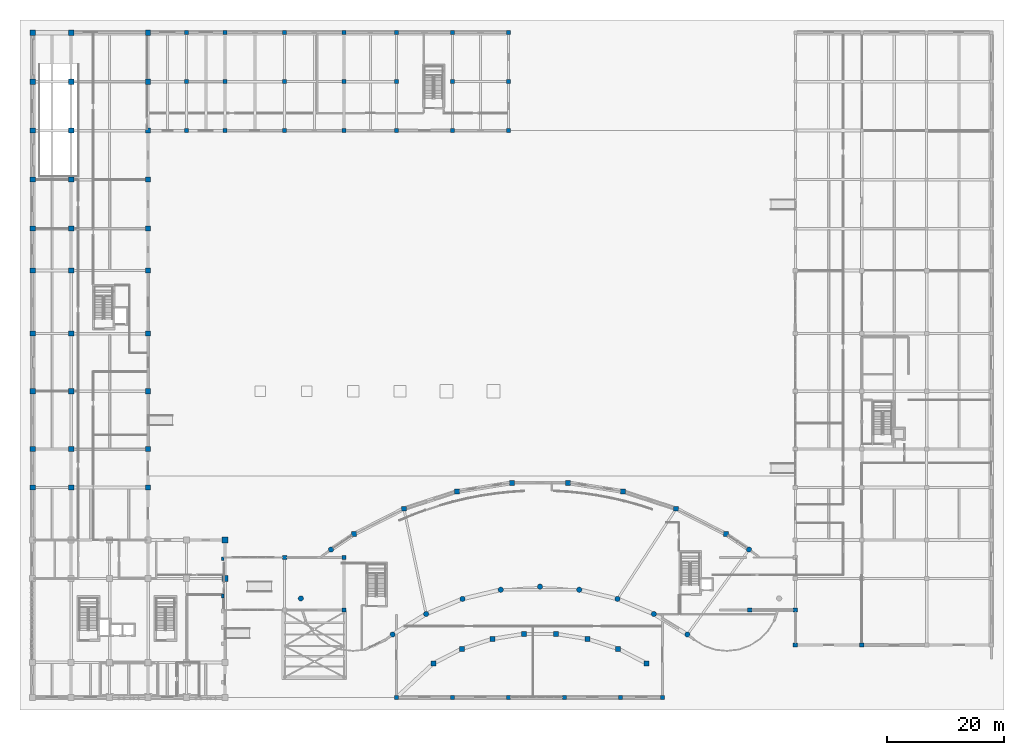
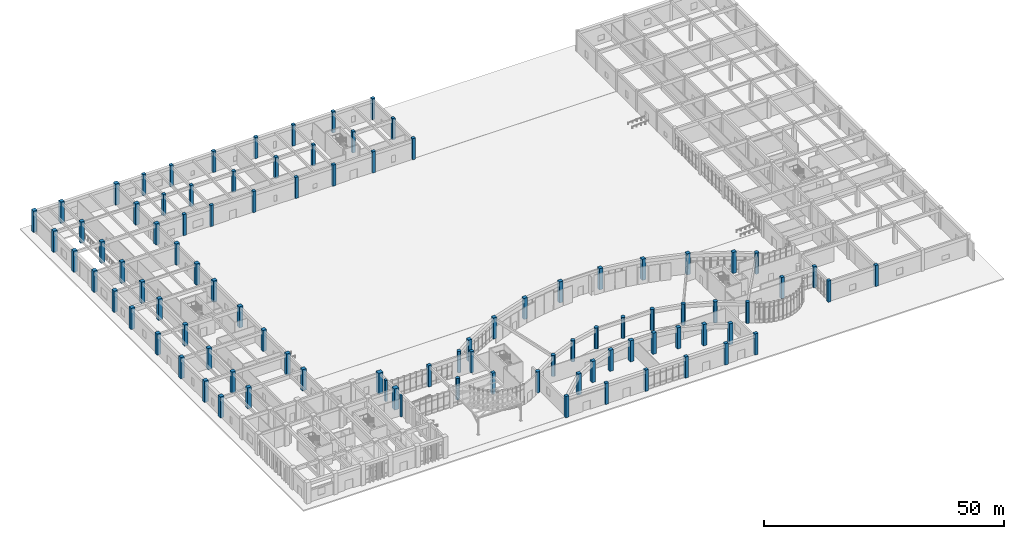
# One storey, part 3 of 70: 96 columns.
"""IFC4 building model written with IfcOpenShell, lengths in metres."""

from ifc_helpers import new_model, si_unit, direction, frame, origin, origin_2d, place, context, subcontext, project, spatial, rectangle, circle, extrude, material, material_profile, profile_set, type_object, element, save


model = new_model("IFC4")

# Units and contexts
model_context = context("Model", 3, precision=1e-05, world=origin(), true_north=direction((0.0, 1.0)))
body_context = subcontext(model_context, "Body", "Model", "MODEL_VIEW")
ifc_project = project(units=[si_unit("LENGTHUNIT", "METRE"), si_unit("AREAUNIT", "SQUARE_METRE"), si_unit("VOLUMEUNIT", "CUBIC_METRE"), si_unit("PLANEANGLEUNIT", "RADIAN"), si_unit("MASSUNIT", "GRAM", prefix="KILO")], contexts=[model_context])

# Site, building, storey
site_placement = place(None, origin())
site = spatial("IfcSite", under=ifc_project, at=site_placement, CompositionType="ELEMENT")
building_placement = place(site_placement, origin())
building = spatial("IfcBuilding", under=site, at=building_placement, Name="Miralva Faculty of Natural Sciences", CompositionType="ELEMENT")
storey_placement = place(building_placement, origin())
storey = spatial("IfcBuildingStorey", under=building, at=storey_placement, Name="L00", CompositionType="ELEMENT", Elevation=0.0)

# Columns
ifc_material_1 = material(Name="Concrete C50/60", Category="concrete")
ifc_material_profile_1 = material_profile(ifc_material_1, rectangle(XDim=1.050048828125, YDim=1.050048828125, at=origin_2d()), Name="RC 1050x1050")
ifc_profile_set_1 = profile_set([ifc_material_profile_1], Name="Concrete C50/60")
column_type_1 = type_object("IfcColumnType", Name="COL-C01", PredefinedType="COLUMN", material=ifc_profile_set_1)
for number, where, z_axis, x_axis, name in (
    (1, (36.0, 23.39990234375, 0.0), (0.0, 0.0, 1.0), (1.0, 0.0, 0.0), "Column CS-V5-6C L00"),
    (2, (36.0, 30.0, 0.0), (0.0, 0.0, 1.0), (1.0, 0.0, 0.0), "Column CS-V5-6D L00"),
):
    element("IfcColumn", number, at=place(storey_placement, frame(where, z_axis=z_axis, x_axis=x_axis)), inside=storey, type_object=column_type_1, Name=name, PredefinedType="COLUMN", context=body_context, shape_type="SweptSolid", body=[
        extrude(rectangle(XDim=1.050048828125, YDim=1.050048828125, at=origin_2d()), origin(), (0.0, 0.0, 1.0), 5.39990234375),
    ])
ifc_material_profile_2 = material_profile(ifc_material_1, rectangle(XDim=0.89990234375, YDim=0.89990234375, at=origin_2d()), Name="RC 900x900")
ifc_profile_set_2 = profile_set([ifc_material_profile_2], Name="Concrete C50/60")
column_type_2 = type_object("IfcColumnType", Name="COL-C03", PredefinedType="COLUMN", material=ifc_profile_set_2)
for number, where, z_axis, x_axis, name in (
    (3, (3.0, 39.0, 0.0), (0.0, 0.0, 1.0), (1.0, 0.0, 0.0), "Column CS-V4W-1E L00"),
    (4, (3.0, 45.60009765625, 0.0), (0.0, 0.0, 1.0), (1.0, 0.0, 0.0), "Column CS-V4W-1F L00"),
    (5, (3.0, 55.5, 0.0), (0.0, 0.0, 1.0), (1.0, 0.0, 0.0), "Column CS-V4W-1G L00"),
    (6, (3.0, 65.39990234375, 0.0), (0.0, 0.0, 1.0), (1.0, 0.0, 0.0), "Column CS-V4W-1H L00"),
    (7, (3.0, 76.199951171875, 0.0), (0.0, 0.0, 1.0), (1.0, 0.0, 0.0), "Column CS-V4W-1I L00"),
    (8, (3.0, 83.39990234375, 0.0), (0.0, 0.0, 1.0), (1.0, 0.0, 0.0), "Column CS-V4W-1J L00"),
    (9, (3.0, 91.800048828125, 0.0), (0.0, 0.0, 1.0), (1.0, 0.0, 0.0), "Column CS-V4W-1K L00"),
    (10, (3.0, 100.199951171875, 0.0), (0.0, 0.0, 1.0), (1.0, 0.0, 0.0), "Column CS-V4W-1L L00"),
    (11, (3.0, 108.60009765625, 0.0), (0.0, 0.0, 1.0), (1.0, 0.0, 0.0), "Column CS-V4W-1M L00"),
    (12, (3.0, 117.0, 0.0), (0.0, 0.0, 1.0), (1.0, 0.0, 0.0), "Column CS-V4W-1N L00"),
    (13, (9.60009765625, 39.0, 0.0), (0.0, 0.0, 1.0), (1.0, 0.0, 0.0), "Column CS-V4W-2E L00"),
    (14, (9.60009765625, 45.60009765625, 0.0), (0.0, 0.0, 1.0), (1.0, 0.0, 0.0), "Column CS-V4W-2F L00"),
    (15, (9.60009765625, 55.5, 0.0), (0.0, 0.0, 1.0), (1.0, 0.0, 0.0), "Column CS-V4W-2G L00"),
    (16, (9.60009765625, 65.39990234375, 0.0), (0.0, 0.0, 1.0), (1.0, 0.0, 0.0), "Column CS-V4W-2H L00"),
    (17, (9.60009765625, 76.199951171875, 0.0), (0.0, 0.0, 1.0), (1.0, 0.0, 0.0), "Column CS-V4W-2I L00"),
    (18, (9.60009765625, 83.39990234375, 0.0), (0.0, 0.0, 1.0), (1.0, 0.0, 0.0), "Column CS-V4W-2J L00"),
    (19, (9.60009765625, 91.800048828125, 0.0), (0.0, 0.0, 1.0), (1.0, 0.0, 0.0), "Column CS-V4W-2K L00"),
    (20, (9.60009765625, 100.199951171875, 0.0), (0.0, 0.0, 1.0), (1.0, 0.0, 0.0), "Column CS-V4W-2L L00"),
    (21, (9.60009765625, 108.60009765625, 0.0), (0.0, 0.0, 1.0), (1.0, 0.0, 0.0), "Column CS-V4W-2M L00"),
    (22, (9.60009765625, 117.0, 0.0), (0.0, 0.0, 1.0), (1.0, 0.0, 0.0), "Column CS-V4W-2N L00"),
    (23, (22.800048828125, 39.0, 0.0), (0.0, 0.0, 1.0), (1.0, 0.0, 0.0), "Column CS-V4W-4E L00"),
    (24, (22.800048828125, 45.60009765625, 0.0), (0.0, 0.0, 1.0), (1.0, 0.0, 0.0), "Column CS-V4W-4F L00"),
    (25, (22.800048828125, 55.5, 0.0), (0.0, 0.0, 1.0), (1.0, 0.0, 0.0), "Column CS-V4W-4G L00"),
    (26, (22.800048828125, 65.39990234375, 0.0), (0.0, 0.0, 1.0), (1.0, 0.0, 0.0), "Column CS-V4W-4H L00"),
    (27, (22.800048828125, 76.199951171875, 0.0), (0.0, 0.0, 1.0), (1.0, 0.0, 0.0), "Column CS-V4W-4I L00"),
    (28, (22.800048828125, 83.39990234375, 0.0), (0.0, 0.0, 1.0), (1.0, 0.0, 0.0), "Column CS-V4W-4J L00"),
    (29, (22.800048828125, 91.800048828125, 0.0), (0.0, 0.0, 1.0), (1.0, 0.0, 0.0), "Column CS-V4W-4K L00"),
    (30, (22.800048828125, 100.199951171875, 0.0), (0.0, 0.0, 1.0), (1.0, 0.0, 0.0), "Column CS-V4W-4L L00"),
    (31, (22.800048828125, 108.60009765625, 0.0), (0.0, 0.0, 1.0), (1.0, 0.0, 0.0), "Column CS-V4W-4M L00"),
    (32, (22.800048828125, 117.0, 0.0), (0.0, 0.0, 1.0), (1.0, 0.0, 0.0), "Column CS-V4W-4N L00"),
):
    element("IfcColumn", number, at=place(storey_placement, frame(where, z_axis=z_axis, x_axis=x_axis)), inside=storey, type_object=column_type_2, Name=name, PredefinedType="COLUMN", context=body_context, shape_type="SweptSolid", body=[
        extrude(rectangle(XDim=0.89990234375, YDim=0.89990234375, at=origin_2d()), origin(), (0.0, 0.0, 1.0), 5.39990234375),
    ])
ifc_material_profile_3 = material_profile(ifc_material_1, rectangle(XDim=0.85009765625, YDim=0.85009765625, at=origin_2d()), Name="RC 850x850")
ifc_profile_set_3 = profile_set([ifc_material_profile_3], Name="Concrete C50/60")
column_type_3 = type_object("IfcColumnType", Name="COL-C04", PredefinedType="COLUMN", material=ifc_profile_set_3)
for number, where, z_axis, x_axis, name in (
    (33, (71.712646484375, 8.84228515625, 0.0), (0.0, 0.0, 1.0), (1.0, 0.0, 0.0), "Column CS-SH-IN01 L00"),
    (34, (58.127685546875, 31.010986328125, 0.0), (0.0, 0.0, 1.0), (1.0, 0.0, 0.0), "Column CS-SH-OUT01 L00"),
    (35, (76.606201171875, 11.335693359375, 0.0), (0.0, 0.0, 1.0), (1.0, 0.0, 0.0), "Column CS-SH-IN02 L00"),
    (36, (66.65625, 35.356689453125, 0.0), (0.0, 0.0, 1.0), (1.0, 0.0, 0.0), "Column CS-SH-OUT02 L00"),
    (37, (81.829345703125, 13.032958984375, 0.0), (0.0, 0.0, 1.0), (1.0, 0.0, 0.0), "Column CS-SH-IN03 L00"),
    (38, (75.759765625, 38.314697265625, 0.0), (0.0, 0.0, 1.0), (1.0, 0.0, 0.0), "Column CS-SH-OUT03 L00"),
    (39, (87.25390625, 13.89208984375, 0.0), (0.0, 0.0, 1.0), (1.0, 0.0, 0.0), "Column CS-SH-IN04 L00"),
    (40, (85.214111328125, 39.81201171875, 0.0), (0.0, 0.0, 1.0), (1.0, 0.0, 0.0), "Column CS-SH-OUT04 L00"),
    (41, (92.74609375, 13.89208984375, 0.0), (0.0, 0.0, 1.0), (1.0, 0.0, 0.0), "Column CS-SH-IN05 L00"),
    (42, (94.785888671875, 39.81201171875, 0.0), (0.0, 0.0, 1.0), (1.0, 0.0, 0.0), "Column CS-SH-OUT05 L00"),
    (43, (98.170654296875, 13.032958984375, 0.0), (0.0, 0.0, 1.0), (1.0, 0.0, 0.0), "Column CS-SH-IN06 L00"),
    (44, (104.240234375, 38.314697265625, 0.0), (0.0, 0.0, 1.0), (1.0, 0.0, 0.0), "Column CS-SH-OUT06 L00"),
    (45, (103.393798828125, 11.335693359375, 0.0), (0.0, 0.0, 1.0), (1.0, 0.0, 0.0), "Column CS-SH-IN07 L00"),
    (46, (113.34375, 35.356689453125, 0.0), (0.0, 0.0, 1.0), (1.0, 0.0, 0.0), "Column CS-SH-OUT07 L00"),
    (47, (108.287353515625, 8.84228515625, 0.0), (0.0, 0.0, 1.0), (1.0, 0.0, 0.0), "Column CS-SH-IN08 L00"),
    (48, (121.872314453125, 31.010986328125, 0.0), (0.0, 0.0, 1.0), (1.0, 0.0, 0.0), "Column CS-SH-OUT08 L00"),
):
    element("IfcColumn", number, at=place(storey_placement, frame(where, z_axis=z_axis, x_axis=x_axis)), inside=storey, type_object=column_type_3, Name=name, PredefinedType="COLUMN", context=body_context, shape_type="SweptSolid", body=[
        extrude(rectangle(XDim=0.85009765625, YDim=0.85009765625, at=origin_2d()), origin(), (0.0, 0.0, 1.0), 5.39990234375),
    ])
ifc_material_2 = material(Name="Concrete C40/50", Category="concrete")
ifc_material_profile_4 = material_profile(ifc_material_2, rectangle(XDim=0.75, YDim=0.75, at=origin_2d()), Name="RC 750x750")
ifc_profile_set_4 = profile_set([ifc_material_profile_4], Name="Concrete C40/50")
column_type_4 = type_object("IfcColumnType", Name="COL-C06", PredefinedType="COLUMN", material=ifc_profile_set_4)
for number, where, z_axis, x_axis, name in (
    (49, (133.800048828125, 18.0, 0.0), (0.0, 0.0, 1.0), (1.0, 0.0, 0.0), "Column CS-LNK-EL2S L00"),
    (50, (133.800048828125, 12.0, 0.0), (0.0, 0.0, 1.0), (1.0, 0.0, 0.0), "Column CS-V2C-16B12 L00"),
    (51, (145.199951171875, 12.0, 0.0), (0.0, 0.0, 1.0), (1.0, 0.0, 0.0), "Column CS-V2C-17B12 L00"),
    (52, (65.39990234375, 3.0, 0.0), (0.0, 0.0, 1.0), (1.0, 0.0, 0.0), "Column CS-V1-S9 L00"),
    (53, (75.0, 3.0, 0.0), (0.0, 0.0, 1.0), (1.0, 0.0, 0.0), "Column CS-V1-S10 L00"),
    (54, (84.60009765625, 3.0, 0.0), (0.0, 0.0, 1.0), (1.0, 0.0, 0.0), "Column CS-V1-S11 L00"),
    (55, (94.199951171875, 3.0, 0.0), (0.0, 0.0, 1.0), (1.0, 0.0, 0.0), "Column CS-V1-S12 L00"),
    (56, (103.800048828125, 3.0, 0.0), (0.0, 0.0, 1.0), (1.0, 0.0, 0.0), "Column CS-V1-S13 L00"),
    (57, (111.0, 3.0, 0.0), (0.0, 0.0, 1.0), (1.0, 0.0, 0.0), "Column CS-V1-S14 L00"),
    (58, (46.199951171875, 27.0, 0.0), (0.0, 0.0, 1.0), (1.0, 0.0, 0.0), "Column CS-LNK-WL1N L00"),
    (59, (56.39990234375, 18.0, 0.0), (0.0, 0.0, 1.0), (1.0, 0.0, 0.0), "Column CS-LNK-WL2S L00"),
    (60, (56.39990234375, 27.0, 0.0), (0.0, 0.0, 1.0), (1.0, 0.0, 0.0), "Column CS-LNK-WL2N L00"),
    (61, (126.0, 18.0, 0.0), (0.0, 0.0, 1.0), (1.0, 0.0, 0.0), "Column CS-LNK-EL1S L00"),
):
    element("IfcColumn", number, at=place(storey_placement, frame(where, z_axis=z_axis, x_axis=x_axis)), inside=storey, type_object=column_type_4, Name=name, PredefinedType="COLUMN", context=body_context, shape_type="SweptSolid", body=[
        extrude(rectangle(XDim=0.75, YDim=0.75, at=origin_2d()), origin(), (0.0, 0.0, 1.0), 5.39990234375),
    ])
ifc_material_profile_5 = material_profile(ifc_material_2, rectangle(XDim=0.699951171875, YDim=0.699951171875, at=origin_2d()), Name="RC 700x700")
ifc_profile_set_5 = profile_set([ifc_material_profile_5], Name="Concrete C40/50")
column_type_5 = type_object("IfcColumnType", Name="COL-C07", PredefinedType="COLUMN", material=ifc_profile_set_5)
for number, where, z_axis, x_axis, name in (
    (62, (29.39990234375, 100.199951171875, 0.0), (0.0, 0.0, 1.0), (1.0, 0.0, 0.0), "Column CS-V4N-5L L00"),
    (63, (29.39990234375, 108.60009765625, 0.0), (0.0, 0.0, 1.0), (1.0, 0.0, 0.0), "Column CS-V4N-5M L00"),
    (64, (29.39990234375, 117.0, 0.0), (0.0, 0.0, 1.0), (1.0, 0.0, 0.0), "Column CS-V4N-5N L00"),
    (65, (36.0, 100.199951171875, 0.0), (0.0, 0.0, 1.0), (1.0, 0.0, 0.0), "Column CS-V4N-6L L00"),
    (66, (36.0, 108.60009765625, 0.0), (0.0, 0.0, 1.0), (1.0, 0.0, 0.0), "Column CS-V4N-6M L00"),
    (67, (36.0, 117.0, 0.0), (0.0, 0.0, 1.0), (1.0, 0.0, 0.0), "Column CS-V4N-6N L00"),
    (68, (46.199951171875, 100.199951171875, 0.0), (0.0, 0.0, 1.0), (1.0, 0.0, 0.0), "Column CS-V4N-7L L00"),
    (69, (46.199951171875, 108.60009765625, 0.0), (0.0, 0.0, 1.0), (1.0, 0.0, 0.0), "Column CS-V4N-7M L00"),
    (70, (46.199951171875, 117.0, 0.0), (0.0, 0.0, 1.0), (1.0, 0.0, 0.0), "Column CS-V4N-7N L00"),
    (71, (56.39990234375, 100.199951171875, 0.0), (0.0, 0.0, 1.0), (1.0, 0.0, 0.0), "Column CS-V4N-8L L00"),
    (72, (56.39990234375, 108.60009765625, 0.0), (0.0, 0.0, 1.0), (1.0, 0.0, 0.0), "Column CS-V4N-8M L00"),
    (73, (56.39990234375, 117.0, 0.0), (0.0, 0.0, 1.0), (1.0, 0.0, 0.0), "Column CS-V4N-8N L00"),
    (74, (65.39990234375, 100.199951171875, 0.0), (0.0, 0.0, 1.0), (1.0, 0.0, 0.0), "Column CS-V4N-9L L00"),
    (75, (65.39990234375, 108.60009765625, 0.0), (0.0, 0.0, 1.0), (1.0, 0.0, 0.0), "Column CS-V4N-9M L00"),
    (76, (65.39990234375, 117.0, 0.0), (0.0, 0.0, 1.0), (1.0, 0.0, 0.0), "Column CS-V4N-9N L00"),
    (77, (75.0, 100.199951171875, 0.0), (0.0, 0.0, 1.0), (1.0, 0.0, 0.0), "Column CS-V4N-10L L00"),
    (78, (75.0, 108.60009765625, 0.0), (0.0, 0.0, 1.0), (1.0, 0.0, 0.0), "Column CS-V4N-10M L00"),
    (79, (75.0, 117.0, 0.0), (0.0, 0.0, 1.0), (1.0, 0.0, 0.0), "Column CS-V4N-10N L00"),
    (80, (84.60009765625, 100.199951171875, 0.0), (0.0, 0.0, 1.0), (1.0, 0.0, 0.0), "Column CS-V4N-11L L00"),
    (81, (84.60009765625, 108.60009765625, 0.0), (0.0, 0.0, 1.0), (1.0, 0.0, 0.0), "Column CS-V4N-11M L00"),
    (82, (84.60009765625, 117.0, 0.0), (0.0, 0.0, 1.0), (1.0, 0.0, 0.0), "Column CS-V4N-11N L00"),
):
    element("IfcColumn", number, at=place(storey_placement, frame(where, z_axis=z_axis, x_axis=x_axis)), inside=storey, type_object=column_type_5, Name=name, PredefinedType="COLUMN", context=body_context, shape_type="SweptSolid", body=[
        extrude(rectangle(XDim=0.699951171875, YDim=0.699951171875, at=origin_2d()), origin(), (0.0, 0.0, 1.0), 5.39990234375),
    ])
ifc_material_profile_6 = material_profile(ifc_material_2, rectangle(XDim=0.449951171875, YDim=0.64990234375, at=origin_2d()), Name="RC 450x650")
ifc_profile_set_6 = profile_set([ifc_material_profile_6], Name="Concrete C40/50")
column_type_6 = type_object("IfcColumnType", Name="COL-C12", PredefinedType="PILASTER", material=ifc_profile_set_6)
for number, where, z_axis, x_axis, name in (
    (83, (35.60009765625, 20.39990234375, 0.0), (0.0, 0.0, 1.0), (1.0, 0.0, 0.0), "Colonnade pilaster 5 L00"),
    (84, (35.60009765625, 26.800048828125, 0.0), (0.0, 0.0, 1.0), (1.0, 0.0, 0.0), "Colonnade pilaster 6 L00"),
):
    element("IfcColumn", number, at=place(storey_placement, frame(where, z_axis=z_axis, x_axis=x_axis)), inside=storey, type_object=column_type_6, Name=name, PredefinedType="PILASTER", context=body_context, shape_type="SweptSolid", body=[
        extrude(rectangle(XDim=0.449951171875, YDim=0.64990234375, at=origin_2d()), origin(), (0.0, 0.0, 1.0), 5.39990234375),
    ])
ifc_material_profile_7 = material_profile(ifc_material_1, circle(Radius=0.449951171875, at=origin_2d()), Name="RC DIA 900")
ifc_profile_set_7 = profile_set([ifc_material_profile_7], Name="Concrete C50/60")
column_type_7 = type_object("IfcColumnType", Name="COL-C13", PredefinedType="COLUMN", material=ifc_profile_set_7)
for number, where, z_axis, x_axis, name in (
    (85, (64.72509765625, 13.78759765625, 0.0), (0.0, 0.0, 1.0), (1.0, 0.0, 0.0), "Column CS-ARC-IN01 L00"),
    (86, (54.14501953125, 28.35009765625, 0.0), (0.0, 0.0, 1.0), (1.0, 0.0, 0.0), "Column CS-ARC-OUT01 L00"),
    (87, (70.478515625, 17.313232421875, 0.0), (0.0, 0.0, 1.0), (1.0, 0.0, 0.0), "Column CS-ARC-IN02 L00"),
    (88, (76.71240234375, 19.8955078125, 0.0), (0.0, 0.0, 1.0), (1.0, 0.0, 0.0), "Column CS-ARC-IN03 L00"),
    (89, (83.273193359375, 21.470703125, 0.0), (0.0, 0.0, 1.0), (1.0, 0.0, 0.0), "Column CS-ARC-IN04 L00"),
    (90, (90.0, 22.0, 0.0), (0.0, 0.0, 1.0), (1.0, 0.0, 0.0), "Column CS-ARC-IN05 L00"),
    (91, (96.726806640625, 21.470703125, 0.0), (0.0, 0.0, 1.0), (1.0, 0.0, 0.0), "Column CS-ARC-IN06 L00"),
    (92, (103.28759765625, 19.8955078125, 0.0), (0.0, 0.0, 1.0), (1.0, 0.0, 0.0), "Column CS-ARC-IN07 L00"),
    (93, (109.521484375, 17.313232421875, 0.0), (0.0, 0.0, 1.0), (1.0, 0.0, 0.0), "Column CS-ARC-IN08 L00"),
    (94, (115.27490234375, 13.78759765625, 0.0), (0.0, 0.0, 1.0), (1.0, 0.0, 0.0), "Column CS-ARC-IN09 L00"),
    (95, (125.85498046875, 28.35009765625, 0.0), (0.0, 0.0, 1.0), (1.0, 0.0, 0.0), "Column CS-ARC-OUT09 L00"),
    (96, (48.985595703125, 19.9765625, 0.0), (0.0, 0.0, 1.0), (1.0, 0.0, 0.0), "Column CS-RND-W01 L00"),
):
    element("IfcColumn", number, at=place(storey_placement, frame(where, z_axis=z_axis, x_axis=x_axis)), inside=storey, type_object=column_type_7, Name=name, PredefinedType="COLUMN", context=body_context, shape_type="SweptSolid", body=[
        extrude(circle(Radius=0.449951171875, at=origin_2d()), origin(), (0.0, 0.0, 1.0), 5.39990234375),
    ])

save(model, "model.ifc")
